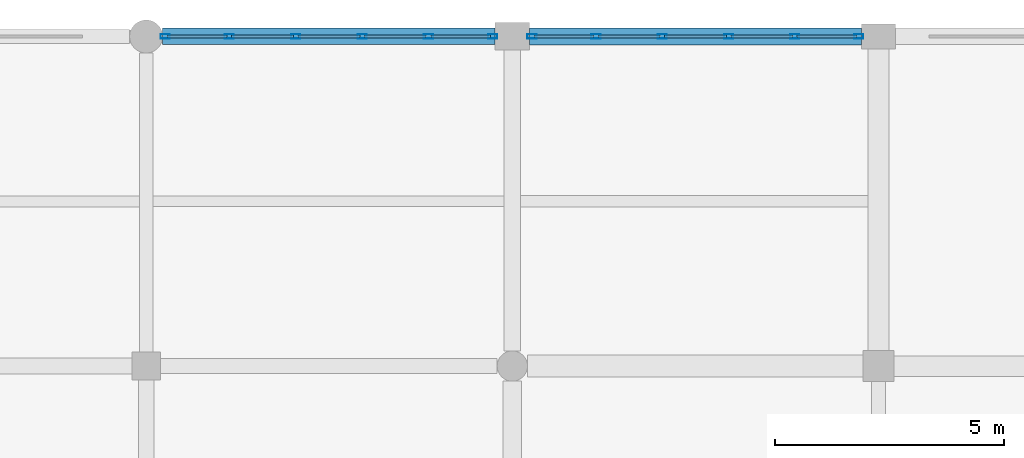
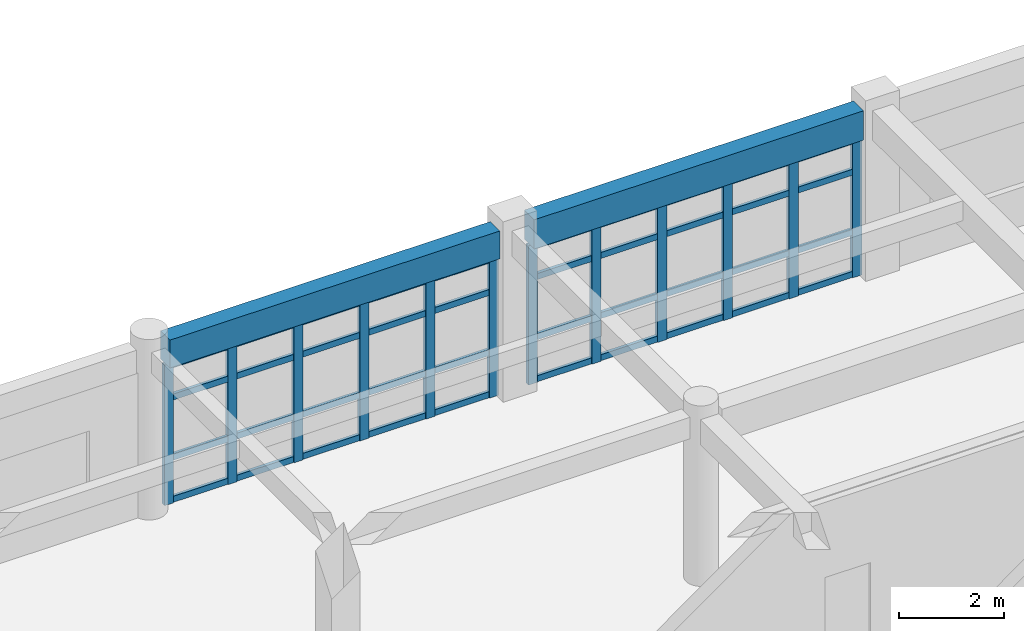
# One storey, part 115 of 195: 52 members, 2 beams, 2 elements without a shape of their own.
"""IFC4 building model written with IfcOpenShell, lengths in metres."""

from ifc_helpers import new_model, si_unit, direction, frame, origin, origin_2d, place, context, subcontext, project, spatial, rectangle, hollow_rectangle, extrude, material, material_profile, profile_set, type_object, element, aggregate, save


model = new_model("IFC4")

# Units and contexts
model_context = context("Model", 3, precision=1e-05, world=origin(), true_north=direction((0.0, 1.0)))
body_context = subcontext(model_context, "Body", "Model", "MODEL_VIEW")
ifc_project = project(units=[si_unit("LENGTHUNIT", "METRE"), si_unit("AREAUNIT", "SQUARE_METRE"), si_unit("VOLUMEUNIT", "CUBIC_METRE"), si_unit("PLANEANGLEUNIT", "RADIAN"), si_unit("MASSUNIT", "GRAM", prefix="KILO")], contexts=[model_context])

# Site, building, storey
site_placement = place(None, origin())
site = spatial("IfcSite", under=ifc_project, at=site_placement, CompositionType="ELEMENT")
building_placement = place(site_placement, origin())
building = spatial("IfcBuilding", under=site, at=building_placement, Name="Kharva Crest Polytechnic", CompositionType="ELEMENT")
storey_placement = place(building_placement, frame((0.0, 0.0, 9.0)))
storey = spatial("IfcBuildingStorey", under=building, at=storey_placement, Name="L02", CompositionType="ELEMENT", Elevation=9.0)

# Curtain wall, members
ifc_material_1 = material(Name="Tempered insulated glass", Category="glass")
curtain_wall_type = type_object("IfcCurtainWallType", Name="CW-SYS-LIBRARY", PredefinedType="USERDEFINED", material=ifc_material_1)
curtain_wall_1_placement = place(storey_placement, origin())
curtain_wall_1 = element("IfcCurtainWall", 1, at=curtain_wall_1_placement, inside=storey, type_object=curtain_wall_type, Name="L02 Glazed Curtain Wall CW-119", ObjectType="CURTAIN WALL", PredefinedType="USERDEFINED")
ifc_material_2 = material(Name="Steel S355", Category="steel")
ifc_material_profile_1 = material_profile(ifc_material_2, hollow_rectangle(XDim=0.10009765625, YDim=0.199951171875, WallThickness=0.00634765625, at=origin_2d()), Name="RHS 200X100X6.3")
ifc_profile_set_1 = profile_set([ifc_material_profile_1], Name="Steel S355")
member_type_1 = type_object("IfcMemberType", Name="CWM-RHS200X100", PredefinedType="MULLION", material=ifc_profile_set_1)
member_1_placement = place(storey_placement, frame((95.570068359375, 122.0, 0.0), z_axis=(0.0, 0.0, 1.0), x_axis=(0.0, -1.0, 0.0)))
member_1 = element("IfcMember", 2, at=member_1_placement, type_object=member_type_1, Name="CW-119 mullion 1", PredefinedType="MULLION", context=body_context, shape_type="SweptSolid", body=[
    extrude(hollow_rectangle(XDim=0.10009765625, YDim=0.199951171875, WallThickness=0.00634765625, at=origin_2d()), origin(), (0.0, 0.0, 1.0), 3.239990234375),
])
member_2_placement = place(storey_placement, frame((94.172119140625, 122.0, 0.0), z_axis=(0.0, 0.0, 1.0), x_axis=(0.0, -1.0, 0.0)))
member_2 = element("IfcMember", 3, at=member_2_placement, type_object=member_type_1, Name="CW-119 mullion 2", PredefinedType="MULLION", context=body_context, shape_type="SweptSolid", body=[
    extrude(hollow_rectangle(XDim=0.10009765625, YDim=0.199951171875, WallThickness=0.00634765625, at=origin_2d()), origin(), (0.0, 0.0, 1.0), 3.239990234375),
])
member_3_placement = place(storey_placement, frame((92.72412109375, 122.0, 0.0), z_axis=(0.0, 0.0, 1.0), x_axis=(0.0, -1.0, 0.0)))
member_3 = element("IfcMember", 4, at=member_3_placement, type_object=member_type_1, Name="CW-119 mullion 3", PredefinedType="MULLION", context=body_context, shape_type="SweptSolid", body=[
    extrude(hollow_rectangle(XDim=0.10009765625, YDim=0.199951171875, WallThickness=0.00634765625, at=origin_2d()), origin(), (0.0, 0.0, 1.0), 3.239990234375),
])
member_4_placement = place(storey_placement, frame((91.27587890625, 122.0, 0.0), z_axis=(0.0, 0.0, 1.0), x_axis=(0.0, -1.0, 0.0)))
member_4 = element("IfcMember", 5, at=member_4_placement, type_object=member_type_1, Name="CW-119 mullion 4", PredefinedType="MULLION", context=body_context, shape_type="SweptSolid", body=[
    extrude(hollow_rectangle(XDim=0.10009765625, YDim=0.199951171875, WallThickness=0.00634765625, at=origin_2d()), origin(), (0.0, 0.0, 1.0), 3.239990234375),
])
member_5_placement = place(storey_placement, frame((89.827880859375, 122.0, 0.0), z_axis=(0.0, 0.0, 1.0), x_axis=(0.0, -1.0, 0.0)))
member_5 = element("IfcMember", 6, at=member_5_placement, type_object=member_type_1, Name="CW-119 mullion 5", PredefinedType="MULLION", context=body_context, shape_type="SweptSolid", body=[
    extrude(hollow_rectangle(XDim=0.10009765625, YDim=0.199951171875, WallThickness=0.00634765625, at=origin_2d()), origin(), (0.0, 0.0, 1.0), 3.239990234375),
])
member_6_placement = place(storey_placement, frame((88.429931640625, 122.0, 0.0), z_axis=(0.0, 0.0, 1.0), x_axis=(0.0, -1.0, 0.0)))
member_6 = element("IfcMember", 7, at=member_6_placement, type_object=member_type_1, Name="CW-119 mullion 6", PredefinedType="MULLION", context=body_context, shape_type="SweptSolid", body=[
    extrude(hollow_rectangle(XDim=0.10009765625, YDim=0.199951171875, WallThickness=0.00634765625, at=origin_2d()), origin(), (0.0, 0.0, 1.0), 3.239990234375),
])

curtain_wall_2_placement = place(storey_placement, origin())
curtain_wall_2 = element("IfcCurtainWall", 8, at=curtain_wall_2_placement, inside=storey, type_object=curtain_wall_type, Name="L02 Glazed Curtain Wall CW-120", ObjectType="CURTAIN WALL", PredefinedType="USERDEFINED")
member_7_placement = place(storey_placement, frame((87.570068359375, 122.0, 0.0), z_axis=(0.0, 0.0, 1.0), x_axis=(0.0, -1.0, 0.0)))
member_7 = element("IfcMember", 9, at=member_7_placement, type_object=member_type_1, Name="CW-120 mullion 1", PredefinedType="MULLION", context=body_context, shape_type="SweptSolid", body=[
    extrude(hollow_rectangle(XDim=0.10009765625, YDim=0.199951171875, WallThickness=0.00634765625, at=origin_2d()), origin(), (0.0, 0.0, 1.0), 3.27001953125),
])
member_8_placement = place(storey_placement, frame((86.1689453125, 122.0, 0.0), z_axis=(0.0, 0.0, 1.0), x_axis=(0.0, -1.0, 0.0)))
member_8 = element("IfcMember", 10, at=member_8_placement, type_object=member_type_1, Name="CW-120 mullion 2", PredefinedType="MULLION", context=body_context, shape_type="SweptSolid", body=[
    extrude(hollow_rectangle(XDim=0.10009765625, YDim=0.199951171875, WallThickness=0.00634765625, at=origin_2d()), origin(), (0.0, 0.0, 1.0), 3.27001953125),
])
member_9_placement = place(storey_placement, frame((84.718017578125, 122.0, 0.0), z_axis=(0.0, 0.0, 1.0), x_axis=(0.0, -1.0, 0.0)))
member_9 = element("IfcMember", 11, at=member_9_placement, type_object=member_type_1, Name="CW-120 mullion 3", PredefinedType="MULLION", context=body_context, shape_type="SweptSolid", body=[
    extrude(hollow_rectangle(XDim=0.10009765625, YDim=0.199951171875, WallThickness=0.00634765625, at=origin_2d()), origin(), (0.0, 0.0, 1.0), 3.27001953125),
])
member_10_placement = place(storey_placement, frame((83.26708984375, 122.0, 0.0), z_axis=(0.0, 0.0, 1.0), x_axis=(0.0, -1.0, 0.0)))
member_10 = element("IfcMember", 12, at=member_10_placement, type_object=member_type_1, Name="CW-120 mullion 4", PredefinedType="MULLION", context=body_context, shape_type="SweptSolid", body=[
    extrude(hollow_rectangle(XDim=0.10009765625, YDim=0.199951171875, WallThickness=0.00634765625, at=origin_2d()), origin(), (0.0, 0.0, 1.0), 3.27001953125),
])
member_11_placement = place(storey_placement, frame((81.81591796875, 122.0, 0.0), z_axis=(0.0, 0.0, 1.0), x_axis=(0.0, -1.0, 0.0)))
member_11 = element("IfcMember", 13, at=member_11_placement, type_object=member_type_1, Name="CW-120 mullion 5", PredefinedType="MULLION", context=body_context, shape_type="SweptSolid", body=[
    extrude(hollow_rectangle(XDim=0.10009765625, YDim=0.199951171875, WallThickness=0.00634765625, at=origin_2d()), origin(), (0.0, 0.0, 1.0), 3.27001953125),
])
member_12_placement = place(storey_placement, frame((80.4150390625, 122.0, 0.0), z_axis=(0.0, 0.0, 1.0), x_axis=(0.0, -1.0, 0.0)))
member_12 = element("IfcMember", 14, at=member_12_placement, type_object=member_type_1, Name="CW-120 mullion 6", PredefinedType="MULLION", context=body_context, shape_type="SweptSolid", body=[
    extrude(hollow_rectangle(XDim=0.10009765625, YDim=0.199951171875, WallThickness=0.00634765625, at=origin_2d()), origin(), (0.0, 0.0, 1.0), 3.27001953125),
])

# Member
ifc_material_profile_2 = material_profile(ifc_material_2, hollow_rectangle(XDim=0.070068359375, YDim=0.139892578125, WallThickness=0.00390625, at=origin_2d()), Name="RHS 140X70X4.0")
ifc_profile_set_2 = profile_set([ifc_material_profile_2], Name="Steel S355")
member_type_2 = type_object("IfcMemberType", Name="CWT-RHS140X70", PredefinedType="USERDEFINED", material=ifc_profile_set_2)
member_13_placement = place(storey_placement, frame((95.52001953125, 122.0, 0.070068359375), z_axis=(-1.0, 0.0, 0.0), x_axis=(0.0, -1.0, 0.0)))
member_13 = element("IfcMember", 15, at=member_13_placement, type_object=member_type_2, Name="CW-119 transom 1.1", ObjectType="TRANSOM", PredefinedType="USERDEFINED", context=body_context, shape_type="SweptSolid", body=[
    extrude(hollow_rectangle(XDim=0.070068359375, YDim=0.139892578125, WallThickness=0.00390625, at=origin_2d()), origin(), (0.0, 0.0, 1.0), 1.298095703125),
])

member_14_placement = place(storey_placement, frame((95.52001953125, 122.0, 1.050048828125), z_axis=(-1.0, 0.0, 0.0), x_axis=(0.0, -1.0, 0.0)))
member_14 = element("IfcMember", 16, at=member_14_placement, type_object=member_type_2, Name="CW-119 transom 1.2", ObjectType="TRANSOM", PredefinedType="USERDEFINED", context=body_context, shape_type="SweptSolid", body=[
    extrude(hollow_rectangle(XDim=0.070068359375, YDim=0.139892578125, WallThickness=0.00390625, at=origin_2d()), origin(), (0.0, 0.0, 1.0), 1.298095703125),
])

member_15_placement = place(storey_placement, frame((95.52001953125, 122.0, 2.449951171875), z_axis=(-1.0, 0.0, 0.0), x_axis=(0.0, -1.0, 0.0)))
member_15 = element("IfcMember", 17, at=member_15_placement, type_object=member_type_2, Name="CW-119 transom 1.3", ObjectType="TRANSOM", PredefinedType="USERDEFINED", context=body_context, shape_type="SweptSolid", body=[
    extrude(hollow_rectangle(XDim=0.070068359375, YDim=0.139892578125, WallThickness=0.00390625, at=origin_2d()), origin(), (0.0, 0.0, 1.0), 1.298095703125),
])

member_16_placement = place(storey_placement, frame((95.52001953125, 122.0, 3.169921875), z_axis=(-1.0, 0.0, 0.0), x_axis=(0.0, -1.0, 0.0)))
member_16 = element("IfcMember", 18, at=member_16_placement, type_object=member_type_2, Name="CW-119 transom 1.4", ObjectType="TRANSOM", PredefinedType="USERDEFINED", context=body_context, shape_type="SweptSolid", body=[
    extrude(hollow_rectangle(XDim=0.070068359375, YDim=0.139892578125, WallThickness=0.00390625, at=origin_2d()), origin(), (0.0, 0.0, 1.0), 1.298095703125),
])

member_17_placement = place(storey_placement, frame((94.1220703125, 122.0, 0.070068359375), z_axis=(-1.0, 0.0, 0.0), x_axis=(0.0, -1.0, 0.0)))
member_17 = element("IfcMember", 19, at=member_17_placement, type_object=member_type_2, Name="CW-119 transom 2.1", ObjectType="TRANSOM", PredefinedType="USERDEFINED", context=body_context, shape_type="SweptSolid", body=[
    extrude(hollow_rectangle(XDim=0.070068359375, YDim=0.139892578125, WallThickness=0.00390625, at=origin_2d()), origin(), (0.0, 0.0, 1.0), 1.34814453125),
])

member_18_placement = place(storey_placement, frame((94.1220703125, 122.0, 1.050048828125), z_axis=(-1.0, 0.0, 0.0), x_axis=(0.0, -1.0, 0.0)))
member_18 = element("IfcMember", 20, at=member_18_placement, type_object=member_type_2, Name="CW-119 transom 2.2", ObjectType="TRANSOM", PredefinedType="USERDEFINED", context=body_context, shape_type="SweptSolid", body=[
    extrude(hollow_rectangle(XDim=0.070068359375, YDim=0.139892578125, WallThickness=0.00390625, at=origin_2d()), origin(), (0.0, 0.0, 1.0), 1.34814453125),
])

member_19_placement = place(storey_placement, frame((94.1220703125, 122.0, 2.449951171875), z_axis=(-1.0, 0.0, 0.0), x_axis=(0.0, -1.0, 0.0)))
member_19 = element("IfcMember", 21, at=member_19_placement, type_object=member_type_2, Name="CW-119 transom 2.3", ObjectType="TRANSOM", PredefinedType="USERDEFINED", context=body_context, shape_type="SweptSolid", body=[
    extrude(hollow_rectangle(XDim=0.070068359375, YDim=0.139892578125, WallThickness=0.00390625, at=origin_2d()), origin(), (0.0, 0.0, 1.0), 1.34814453125),
])

member_20_placement = place(storey_placement, frame((94.1220703125, 122.0, 3.169921875), z_axis=(-1.0, 0.0, 0.0), x_axis=(0.0, -1.0, 0.0)))
member_20 = element("IfcMember", 22, at=member_20_placement, type_object=member_type_2, Name="CW-119 transom 2.4", ObjectType="TRANSOM", PredefinedType="USERDEFINED", context=body_context, shape_type="SweptSolid", body=[
    extrude(hollow_rectangle(XDim=0.070068359375, YDim=0.139892578125, WallThickness=0.00390625, at=origin_2d()), origin(), (0.0, 0.0, 1.0), 1.34814453125),
])

member_21_placement = place(storey_placement, frame((92.674072265625, 122.0, 0.070068359375), z_axis=(-1.0, 0.0, 0.0), x_axis=(0.0, -1.0, 0.0)))
member_21 = element("IfcMember", 23, at=member_21_placement, type_object=member_type_2, Name="CW-119 transom 3.1", ObjectType="TRANSOM", PredefinedType="USERDEFINED", context=body_context, shape_type="SweptSolid", body=[
    extrude(hollow_rectangle(XDim=0.070068359375, YDim=0.139892578125, WallThickness=0.00390625, at=origin_2d()), origin(), (0.0, 0.0, 1.0), 1.34814453125),
])

member_22_placement = place(storey_placement, frame((92.674072265625, 122.0, 1.050048828125), z_axis=(-1.0, 0.0, 0.0), x_axis=(0.0, -1.0, 0.0)))
member_22 = element("IfcMember", 24, at=member_22_placement, type_object=member_type_2, Name="CW-119 transom 3.2", ObjectType="TRANSOM", PredefinedType="USERDEFINED", context=body_context, shape_type="SweptSolid", body=[
    extrude(hollow_rectangle(XDim=0.070068359375, YDim=0.139892578125, WallThickness=0.00390625, at=origin_2d()), origin(), (0.0, 0.0, 1.0), 1.34814453125),
])

member_23_placement = place(storey_placement, frame((92.674072265625, 122.0, 2.449951171875), z_axis=(-1.0, 0.0, 0.0), x_axis=(0.0, -1.0, 0.0)))
member_23 = element("IfcMember", 25, at=member_23_placement, type_object=member_type_2, Name="CW-119 transom 3.3", ObjectType="TRANSOM", PredefinedType="USERDEFINED", context=body_context, shape_type="SweptSolid", body=[
    extrude(hollow_rectangle(XDim=0.070068359375, YDim=0.139892578125, WallThickness=0.00390625, at=origin_2d()), origin(), (0.0, 0.0, 1.0), 1.34814453125),
])

member_24_placement = place(storey_placement, frame((92.674072265625, 122.0, 3.169921875), z_axis=(-1.0, 0.0, 0.0), x_axis=(0.0, -1.0, 0.0)))
member_24 = element("IfcMember", 26, at=member_24_placement, type_object=member_type_2, Name="CW-119 transom 3.4", ObjectType="TRANSOM", PredefinedType="USERDEFINED", context=body_context, shape_type="SweptSolid", body=[
    extrude(hollow_rectangle(XDim=0.070068359375, YDim=0.139892578125, WallThickness=0.00390625, at=origin_2d()), origin(), (0.0, 0.0, 1.0), 1.34814453125),
])

member_25_placement = place(storey_placement, frame((91.22607421875, 122.0, 0.070068359375), z_axis=(-1.0, 0.0, 0.0), x_axis=(0.0, -1.0, 0.0)))
member_25 = element("IfcMember", 27, at=member_25_placement, type_object=member_type_2, Name="CW-119 transom 4.1", ObjectType="TRANSOM", PredefinedType="USERDEFINED", context=body_context, shape_type="SweptSolid", body=[
    extrude(hollow_rectangle(XDim=0.070068359375, YDim=0.139892578125, WallThickness=0.00390625, at=origin_2d()), origin(), (0.0, 0.0, 1.0), 1.34814453125),
])

member_26_placement = place(storey_placement, frame((91.22607421875, 122.0, 1.050048828125), z_axis=(-1.0, 0.0, 0.0), x_axis=(0.0, -1.0, 0.0)))
member_26 = element("IfcMember", 28, at=member_26_placement, type_object=member_type_2, Name="CW-119 transom 4.2", ObjectType="TRANSOM", PredefinedType="USERDEFINED", context=body_context, shape_type="SweptSolid", body=[
    extrude(hollow_rectangle(XDim=0.070068359375, YDim=0.139892578125, WallThickness=0.00390625, at=origin_2d()), origin(), (0.0, 0.0, 1.0), 1.34814453125),
])

member_27_placement = place(storey_placement, frame((91.22607421875, 122.0, 2.449951171875), z_axis=(-1.0, 0.0, 0.0), x_axis=(0.0, -1.0, 0.0)))
member_27 = element("IfcMember", 29, at=member_27_placement, type_object=member_type_2, Name="CW-119 transom 4.3", ObjectType="TRANSOM", PredefinedType="USERDEFINED", context=body_context, shape_type="SweptSolid", body=[
    extrude(hollow_rectangle(XDim=0.070068359375, YDim=0.139892578125, WallThickness=0.00390625, at=origin_2d()), origin(), (0.0, 0.0, 1.0), 1.34814453125),
])

member_28_placement = place(storey_placement, frame((91.22607421875, 122.0, 3.169921875), z_axis=(-1.0, 0.0, 0.0), x_axis=(0.0, -1.0, 0.0)))
member_28 = element("IfcMember", 30, at=member_28_placement, type_object=member_type_2, Name="CW-119 transom 4.4", ObjectType="TRANSOM", PredefinedType="USERDEFINED", context=body_context, shape_type="SweptSolid", body=[
    extrude(hollow_rectangle(XDim=0.070068359375, YDim=0.139892578125, WallThickness=0.00390625, at=origin_2d()), origin(), (0.0, 0.0, 1.0), 1.34814453125),
])

member_29_placement = place(storey_placement, frame((89.778076171875, 122.0, 0.070068359375), z_axis=(-1.0, 0.0, 0.0), x_axis=(0.0, -1.0, 0.0)))
member_29 = element("IfcMember", 31, at=member_29_placement, type_object=member_type_2, Name="CW-119 transom 5.1", ObjectType="TRANSOM", PredefinedType="USERDEFINED", context=body_context, shape_type="SweptSolid", body=[
    extrude(hollow_rectangle(XDim=0.070068359375, YDim=0.139892578125, WallThickness=0.00390625, at=origin_2d()), origin(), (0.0, 0.0, 1.0), 1.298095703125),
])

member_30_placement = place(storey_placement, frame((89.778076171875, 122.0, 1.050048828125), z_axis=(-1.0, 0.0, 0.0), x_axis=(0.0, -1.0, 0.0)))
member_30 = element("IfcMember", 32, at=member_30_placement, type_object=member_type_2, Name="CW-119 transom 5.2", ObjectType="TRANSOM", PredefinedType="USERDEFINED", context=body_context, shape_type="SweptSolid", body=[
    extrude(hollow_rectangle(XDim=0.070068359375, YDim=0.139892578125, WallThickness=0.00390625, at=origin_2d()), origin(), (0.0, 0.0, 1.0), 1.298095703125),
])

member_31_placement = place(storey_placement, frame((89.778076171875, 122.0, 2.449951171875), z_axis=(-1.0, 0.0, 0.0), x_axis=(0.0, -1.0, 0.0)))
member_31 = element("IfcMember", 33, at=member_31_placement, type_object=member_type_2, Name="CW-119 transom 5.3", ObjectType="TRANSOM", PredefinedType="USERDEFINED", context=body_context, shape_type="SweptSolid", body=[
    extrude(hollow_rectangle(XDim=0.070068359375, YDim=0.139892578125, WallThickness=0.00390625, at=origin_2d()), origin(), (0.0, 0.0, 1.0), 1.298095703125),
])

member_32_placement = place(storey_placement, frame((89.778076171875, 122.0, 3.169921875), z_axis=(-1.0, 0.0, 0.0), x_axis=(0.0, -1.0, 0.0)))
member_32 = element("IfcMember", 34, at=member_32_placement, type_object=member_type_2, Name="CW-119 transom 5.4", ObjectType="TRANSOM", PredefinedType="USERDEFINED", context=body_context, shape_type="SweptSolid", body=[
    extrude(hollow_rectangle(XDim=0.070068359375, YDim=0.139892578125, WallThickness=0.00390625, at=origin_2d()), origin(), (0.0, 0.0, 1.0), 1.298095703125),
])

aggregate(curtain_wall_1, [member_1, member_2, member_3, member_4, member_5, member_6, member_13, member_14, member_15, member_16, member_17, member_18, member_19, member_20, member_21, member_22, member_23, member_24, member_25, member_26, member_27, member_28, member_29, member_30, member_31, member_32])

member_33_placement = place(storey_placement, frame((87.52001953125, 122.0, 0.070068359375), z_axis=(-1.0, 0.0, 0.0), x_axis=(0.0, -1.0, 0.0)))
member_33 = element("IfcMember", 35, at=member_33_placement, type_object=member_type_2, Name="CW-120 transom 1.1", ObjectType="TRANSOM", PredefinedType="USERDEFINED", context=body_context, shape_type="SweptSolid", body=[
    extrude(hollow_rectangle(XDim=0.070068359375, YDim=0.139892578125, WallThickness=0.00390625, at=origin_2d()), origin(), (0.0, 0.0, 1.0), 1.301025390625),
])

member_34_placement = place(storey_placement, frame((87.52001953125, 122.0, 1.050048828125), z_axis=(-1.0, 0.0, 0.0), x_axis=(0.0, -1.0, 0.0)))
member_34 = element("IfcMember", 36, at=member_34_placement, type_object=member_type_2, Name="CW-120 transom 1.2", ObjectType="TRANSOM", PredefinedType="USERDEFINED", context=body_context, shape_type="SweptSolid", body=[
    extrude(hollow_rectangle(XDim=0.070068359375, YDim=0.139892578125, WallThickness=0.00390625, at=origin_2d()), origin(), (0.0, 0.0, 1.0), 1.301025390625),
])

member_35_placement = place(storey_placement, frame((87.52001953125, 122.0, 2.449951171875), z_axis=(-1.0, 0.0, 0.0), x_axis=(0.0, -1.0, 0.0)))
member_35 = element("IfcMember", 37, at=member_35_placement, type_object=member_type_2, Name="CW-120 transom 1.3", ObjectType="TRANSOM", PredefinedType="USERDEFINED", context=body_context, shape_type="SweptSolid", body=[
    extrude(hollow_rectangle(XDim=0.070068359375, YDim=0.139892578125, WallThickness=0.00390625, at=origin_2d()), origin(), (0.0, 0.0, 1.0), 1.301025390625),
])

member_36_placement = place(storey_placement, frame((87.52001953125, 122.0, 3.199951171875), z_axis=(-1.0, 0.0, 0.0), x_axis=(0.0, -1.0, 0.0)))
member_36 = element("IfcMember", 38, at=member_36_placement, type_object=member_type_2, Name="CW-120 transom 1.4", ObjectType="TRANSOM", PredefinedType="USERDEFINED", context=body_context, shape_type="SweptSolid", body=[
    extrude(hollow_rectangle(XDim=0.070068359375, YDim=0.139892578125, WallThickness=0.00390625, at=origin_2d()), origin(), (0.0, 0.0, 1.0), 1.301025390625),
])

member_37_placement = place(storey_placement, frame((86.118896484375, 122.0, 0.070068359375), z_axis=(-1.0, 0.0, 0.0), x_axis=(0.0, -1.0, 0.0)))
member_37 = element("IfcMember", 39, at=member_37_placement, type_object=member_type_2, Name="CW-120 transom 2.1", ObjectType="TRANSOM", PredefinedType="USERDEFINED", context=body_context, shape_type="SweptSolid", body=[
    extrude(hollow_rectangle(XDim=0.070068359375, YDim=0.139892578125, WallThickness=0.00390625, at=origin_2d()), origin(), (0.0, 0.0, 1.0), 1.350830078125),
])

member_38_placement = place(storey_placement, frame((86.118896484375, 122.0, 1.050048828125), z_axis=(-1.0, 0.0, 0.0), x_axis=(0.0, -1.0, 0.0)))
member_38 = element("IfcMember", 40, at=member_38_placement, type_object=member_type_2, Name="CW-120 transom 2.2", ObjectType="TRANSOM", PredefinedType="USERDEFINED", context=body_context, shape_type="SweptSolid", body=[
    extrude(hollow_rectangle(XDim=0.070068359375, YDim=0.139892578125, WallThickness=0.00390625, at=origin_2d()), origin(), (0.0, 0.0, 1.0), 1.350830078125),
])

member_39_placement = place(storey_placement, frame((86.118896484375, 122.0, 2.449951171875), z_axis=(-1.0, 0.0, 0.0), x_axis=(0.0, -1.0, 0.0)))
member_39 = element("IfcMember", 41, at=member_39_placement, type_object=member_type_2, Name="CW-120 transom 2.3", ObjectType="TRANSOM", PredefinedType="USERDEFINED", context=body_context, shape_type="SweptSolid", body=[
    extrude(hollow_rectangle(XDim=0.070068359375, YDim=0.139892578125, WallThickness=0.00390625, at=origin_2d()), origin(), (0.0, 0.0, 1.0), 1.350830078125),
])

member_40_placement = place(storey_placement, frame((86.118896484375, 122.0, 3.199951171875), z_axis=(-1.0, 0.0, 0.0), x_axis=(0.0, -1.0, 0.0)))
member_40 = element("IfcMember", 42, at=member_40_placement, type_object=member_type_2, Name="CW-120 transom 2.4", ObjectType="TRANSOM", PredefinedType="USERDEFINED", context=body_context, shape_type="SweptSolid", body=[
    extrude(hollow_rectangle(XDim=0.070068359375, YDim=0.139892578125, WallThickness=0.00390625, at=origin_2d()), origin(), (0.0, 0.0, 1.0), 1.350830078125),
])

member_41_placement = place(storey_placement, frame((84.66796875, 122.0, 0.070068359375), z_axis=(-1.0, 0.0, 0.0), x_axis=(0.0, -1.0, 0.0)))
member_41 = element("IfcMember", 43, at=member_41_placement, type_object=member_type_2, Name="CW-120 transom 3.1", ObjectType="TRANSOM", PredefinedType="USERDEFINED", context=body_context, shape_type="SweptSolid", body=[
    extrude(hollow_rectangle(XDim=0.070068359375, YDim=0.139892578125, WallThickness=0.00390625, at=origin_2d()), origin(), (0.0, 0.0, 1.0), 1.35107421875),
])

member_42_placement = place(storey_placement, frame((84.66796875, 122.0, 1.050048828125), z_axis=(-1.0, 0.0, 0.0), x_axis=(0.0, -1.0, 0.0)))
member_42 = element("IfcMember", 44, at=member_42_placement, type_object=member_type_2, Name="CW-120 transom 3.2", ObjectType="TRANSOM", PredefinedType="USERDEFINED", context=body_context, shape_type="SweptSolid", body=[
    extrude(hollow_rectangle(XDim=0.070068359375, YDim=0.139892578125, WallThickness=0.00390625, at=origin_2d()), origin(), (0.0, 0.0, 1.0), 1.35107421875),
])

member_43_placement = place(storey_placement, frame((84.66796875, 122.0, 2.449951171875), z_axis=(-1.0, 0.0, 0.0), x_axis=(0.0, -1.0, 0.0)))
member_43 = element("IfcMember", 45, at=member_43_placement, type_object=member_type_2, Name="CW-120 transom 3.3", ObjectType="TRANSOM", PredefinedType="USERDEFINED", context=body_context, shape_type="SweptSolid", body=[
    extrude(hollow_rectangle(XDim=0.070068359375, YDim=0.139892578125, WallThickness=0.00390625, at=origin_2d()), origin(), (0.0, 0.0, 1.0), 1.35107421875),
])

member_44_placement = place(storey_placement, frame((84.66796875, 122.0, 3.199951171875), z_axis=(-1.0, 0.0, 0.0), x_axis=(0.0, -1.0, 0.0)))
member_44 = element("IfcMember", 46, at=member_44_placement, type_object=member_type_2, Name="CW-120 transom 3.4", ObjectType="TRANSOM", PredefinedType="USERDEFINED", context=body_context, shape_type="SweptSolid", body=[
    extrude(hollow_rectangle(XDim=0.070068359375, YDim=0.139892578125, WallThickness=0.00390625, at=origin_2d()), origin(), (0.0, 0.0, 1.0), 1.35107421875),
])

member_45_placement = place(storey_placement, frame((83.217041015625, 122.0, 0.070068359375), z_axis=(-1.0, 0.0, 0.0), x_axis=(0.0, -1.0, 0.0)))
member_45 = element("IfcMember", 47, at=member_45_placement, type_object=member_type_2, Name="CW-120 transom 4.1", ObjectType="TRANSOM", PredefinedType="USERDEFINED", context=body_context, shape_type="SweptSolid", body=[
    extrude(hollow_rectangle(XDim=0.070068359375, YDim=0.139892578125, WallThickness=0.00390625, at=origin_2d()), origin(), (0.0, 0.0, 1.0), 1.35107421875),
])

member_46_placement = place(storey_placement, frame((83.217041015625, 122.0, 1.050048828125), z_axis=(-1.0, 0.0, 0.0), x_axis=(0.0, -1.0, 0.0)))
member_46 = element("IfcMember", 48, at=member_46_placement, type_object=member_type_2, Name="CW-120 transom 4.2", ObjectType="TRANSOM", PredefinedType="USERDEFINED", context=body_context, shape_type="SweptSolid", body=[
    extrude(hollow_rectangle(XDim=0.070068359375, YDim=0.139892578125, WallThickness=0.00390625, at=origin_2d()), origin(), (0.0, 0.0, 1.0), 1.35107421875),
])

member_47_placement = place(storey_placement, frame((83.217041015625, 122.0, 2.449951171875), z_axis=(-1.0, 0.0, 0.0), x_axis=(0.0, -1.0, 0.0)))
member_47 = element("IfcMember", 49, at=member_47_placement, type_object=member_type_2, Name="CW-120 transom 4.3", ObjectType="TRANSOM", PredefinedType="USERDEFINED", context=body_context, shape_type="SweptSolid", body=[
    extrude(hollow_rectangle(XDim=0.070068359375, YDim=0.139892578125, WallThickness=0.00390625, at=origin_2d()), origin(), (0.0, 0.0, 1.0), 1.35107421875),
])

member_48_placement = place(storey_placement, frame((83.217041015625, 122.0, 3.199951171875), z_axis=(-1.0, 0.0, 0.0), x_axis=(0.0, -1.0, 0.0)))
member_48 = element("IfcMember", 50, at=member_48_placement, type_object=member_type_2, Name="CW-120 transom 4.4", ObjectType="TRANSOM", PredefinedType="USERDEFINED", context=body_context, shape_type="SweptSolid", body=[
    extrude(hollow_rectangle(XDim=0.070068359375, YDim=0.139892578125, WallThickness=0.00390625, at=origin_2d()), origin(), (0.0, 0.0, 1.0), 1.35107421875),
])

member_49_placement = place(storey_placement, frame((81.76611328125, 122.0, 0.070068359375), z_axis=(-1.0, 0.0, 0.0), x_axis=(0.0, -1.0, 0.0)))
member_49 = element("IfcMember", 51, at=member_49_placement, type_object=member_type_2, Name="CW-120 transom 5.1", ObjectType="TRANSOM", PredefinedType="USERDEFINED", context=body_context, shape_type="SweptSolid", body=[
    extrude(hollow_rectangle(XDim=0.070068359375, YDim=0.139892578125, WallThickness=0.00390625, at=origin_2d()), origin(), (0.0, 0.0, 1.0), 1.301025390625),
])

member_50_placement = place(storey_placement, frame((81.76611328125, 122.0, 1.050048828125), z_axis=(-1.0, 0.0, 0.0), x_axis=(0.0, -1.0, 0.0)))
member_50 = element("IfcMember", 52, at=member_50_placement, type_object=member_type_2, Name="CW-120 transom 5.2", ObjectType="TRANSOM", PredefinedType="USERDEFINED", context=body_context, shape_type="SweptSolid", body=[
    extrude(hollow_rectangle(XDim=0.070068359375, YDim=0.139892578125, WallThickness=0.00390625, at=origin_2d()), origin(), (0.0, 0.0, 1.0), 1.301025390625),
])

member_51_placement = place(storey_placement, frame((81.76611328125, 122.0, 2.449951171875), z_axis=(-1.0, 0.0, 0.0), x_axis=(0.0, -1.0, 0.0)))
member_51 = element("IfcMember", 53, at=member_51_placement, type_object=member_type_2, Name="CW-120 transom 5.3", ObjectType="TRANSOM", PredefinedType="USERDEFINED", context=body_context, shape_type="SweptSolid", body=[
    extrude(hollow_rectangle(XDim=0.070068359375, YDim=0.139892578125, WallThickness=0.00390625, at=origin_2d()), origin(), (0.0, 0.0, 1.0), 1.301025390625),
])

member_52_placement = place(storey_placement, frame((81.76611328125, 122.0, 3.199951171875), z_axis=(-1.0, 0.0, 0.0), x_axis=(0.0, -1.0, 0.0)))
member_52 = element("IfcMember", 54, at=member_52_placement, type_object=member_type_2, Name="CW-120 transom 5.4", ObjectType="TRANSOM", PredefinedType="USERDEFINED", context=body_context, shape_type="SweptSolid", body=[
    extrude(hollow_rectangle(XDim=0.070068359375, YDim=0.139892578125, WallThickness=0.00390625, at=origin_2d()), origin(), (0.0, 0.0, 1.0), 1.301025390625),
])

aggregate(curtain_wall_2, [member_7, member_8, member_9, member_10, member_11, member_12, member_33, member_34, member_35, member_36, member_37, member_38, member_39, member_40, member_41, member_42, member_43, member_44, member_45, member_46, member_47, member_48, member_49, member_50, member_51, member_52])

# Beams
ifc_material_3 = material(Name="Concrete C35/45", Category="concrete")
ifc_material_profile_3 = material_profile(ifc_material_3, rectangle(XDim=0.360107421875, YDim=0.64990234375, at=origin_2d()), Name="RECT 360 X 650")
ifc_profile_set_3 = profile_set([ifc_material_profile_3], Name="Concrete C35/45")
beam_type_1 = type_object("IfcBeamType", Name="SP-RC-360X650", PredefinedType="SPANDREL", material=ifc_profile_set_3)
beam_1_placement = place(storey_placement, frame((80.360107421875, 122.0, 3.594970703125), z_axis=(1.0, 0.0, 0.0), x_axis=(0.0, 1.0, 0.0)))
element("IfcBeam", 55, at=beam_1_placement, inside=storey, type_object=beam_type_1, Name="L02 Beam S/11-12", PredefinedType="SPANDREL", context=body_context, shape_type="SweptSolid", body=[
    extrude(rectangle(XDim=0.360107421875, YDim=0.64990234375, at=origin_2d()), origin(), (0.0, 0.0, 1.0), 7.264892578125),
])
ifc_material_profile_4 = material_profile(ifc_material_3, rectangle(XDim=0.3798828125, YDim=0.679931640625, at=origin_2d()), Name="RECT 380 X 680")
ifc_profile_set_4 = profile_set([ifc_material_profile_4], Name="Concrete C35/45")
beam_type_2 = type_object("IfcBeamType", Name="SP-RC-380X680", PredefinedType="SPANDREL", material=ifc_profile_set_4)
beam_2_placement = place(storey_placement, frame((88.375, 122.0, 3.580078125), z_axis=(1.0, 0.0, 0.0), x_axis=(0.0, 1.0, 0.0)))
element("IfcBeam", 56, at=beam_2_placement, inside=storey, type_object=beam_type_2, Name="L02 Beam S/12-13", PredefinedType="SPANDREL", context=body_context, shape_type="SweptSolid", body=[
    extrude(rectangle(XDim=0.3798828125, YDim=0.679931640625, at=origin_2d()), origin(), (0.0, 0.0, 1.0), 7.25),
])

save(model, "model.ifc")
